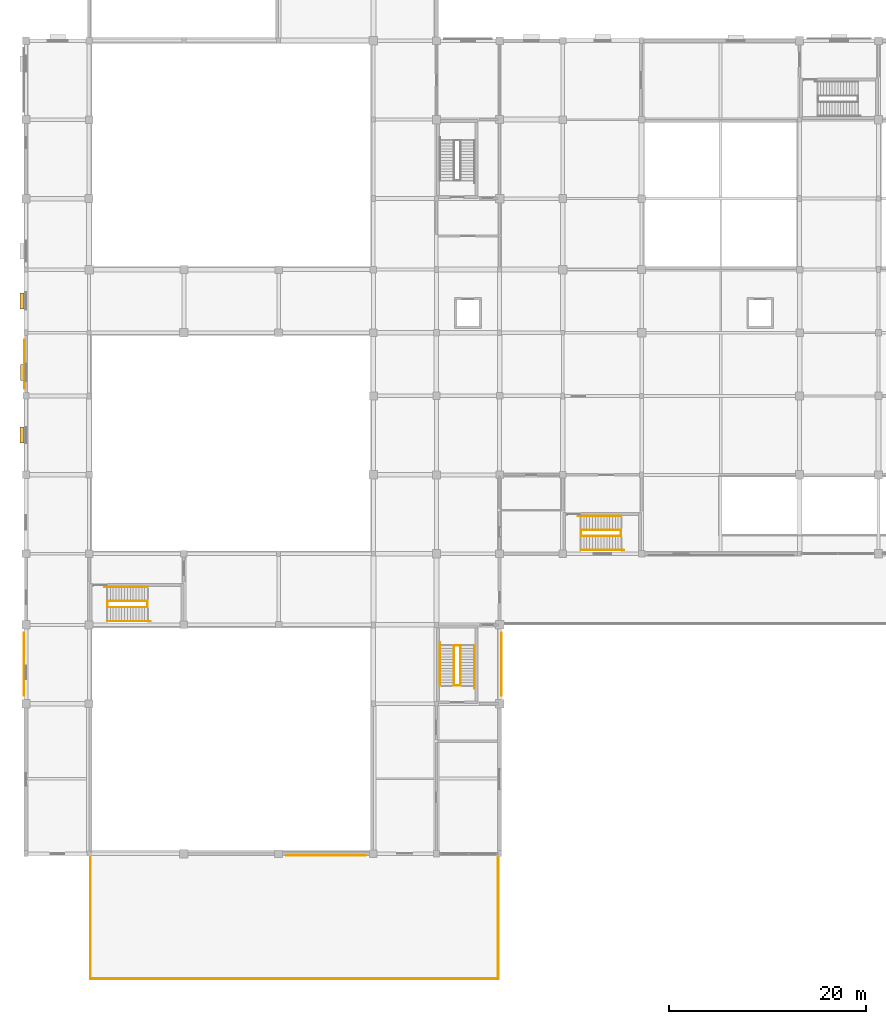
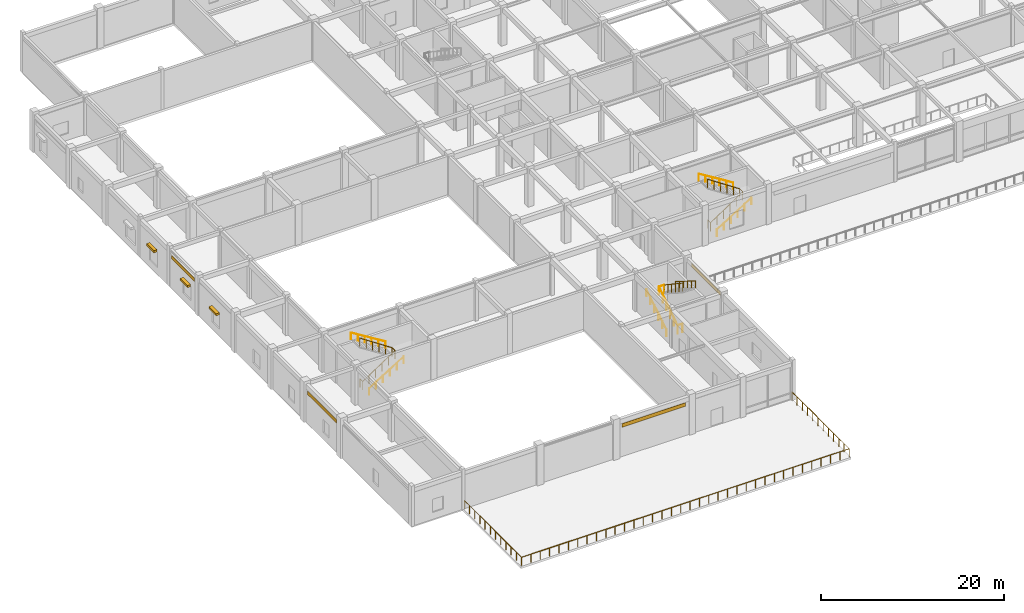
# One storey, part 33 of 36: 13 railings, 4 coverings, 3 shading devices.
"""IFC4 building model written with IfcOpenShell, lengths in metres."""

from ifc_helpers import new_model, si_unit, direction, frame, origin, origin_2d, place, context, subcontext, project, spatial, polyline, rectangle, circle, outline, extrude, material, layer, layer_set, type_object, element, save


model = new_model("IFC4")

# Units and contexts
model_context = context("Model", 3, precision=1e-05, world=origin(), true_north=direction((0.0, 1.0)))
body_context = subcontext(model_context, "Body", "Model", "MODEL_VIEW")
ifc_project = project(units=[si_unit("LENGTHUNIT", "METRE"), si_unit("AREAUNIT", "SQUARE_METRE"), si_unit("VOLUMEUNIT", "CUBIC_METRE"), si_unit("PLANEANGLEUNIT", "RADIAN"), si_unit("MASSUNIT", "GRAM", prefix="KILO")], contexts=[model_context])

# Site, building, storey
site_placement = place(None, origin())
site = spatial("IfcSite", under=ifc_project, at=site_placement, CompositionType="ELEMENT")
building_placement = place(site_placement, origin())
building = spatial("IfcBuilding", under=site, at=building_placement, Name="Vellmiral Cinema and Media Centre", CompositionType="ELEMENT")
storey_placement = place(building_placement, frame((0.0, 0.0, 5.39990234375)))
storey = spatial("IfcBuildingStorey", under=building, at=storey_placement, Name="L01", CompositionType="ELEMENT", Elevation=5.39990234375)

# Coverings
ifc_material_1 = material(Name="Polychrome Trencadis Ceramic Mosaic")
ifc_layer = layer(ifc_material_1, 0.034912109375, Name="Polychrome Trencadis Ceramic Mosaic")
ifc_layer_set = layer_set([ifc_layer], Name="Polychrome Trencadis Ceramic Mosaic")
covering_type = type_object("IfcCoveringType", Name="COV-TRENCADIS-CLAD", PredefinedType="CLADDING", material=ifc_layer_set)
covering_1_placement = place(storey_placement, frame((0.0, 0.0, 3.9150390625)))
element("IfcCovering", 1, at=covering_1_placement, inside=storey, type_object=covering_type, Name="Trencadis Spandrel Mosaic L01-004", PredefinedType="CLADDING", context=body_context, shape_type="SweptSolid", body=[
    extrude(outline(polyline([(26.39990234375, 12.592041015625), (34.425048828125, 12.592041015625), (34.425048828125, 12.626953125), (26.39990234375, 12.626953125), (26.39990234375, 12.592041015625)])), origin(), (0.0, 0.0, 1.0), 0.47998046875),
])
covering_2_placement = place(storey_placement, frame((0.0, 0.0, 3.9951171875)))
element("IfcCovering", 2, at=covering_2_placement, inside=storey, type_object=covering_type, Name="Trencadis Spandrel Mosaic L01-008", PredefinedType="CLADDING", context=body_context, shape_type="SweptSolid", body=[
    extrude(outline(polyline([(48.2080078125, 28.824951171875), (48.2080078125, 35.175048828125), (48.173095703125, 35.175048828125), (48.173095703125, 28.824951171875), (48.2080078125, 28.824951171875)])), origin(), (0.0, 0.0, 1.0), 0.47998046875),
])
covering_3_placement = place(storey_placement, frame((0.0, 0.0, 3.920166015625)))
element("IfcCovering", 3, at=covering_3_placement, inside=storey, type_object=covering_type, Name="Trencadis Spandrel Mosaic L01-072", PredefinedType="CLADDING", context=body_context, shape_type="SweptSolid", body=[
    extrude(outline(polyline([(-0.177978515625, 64.89990234375), (-0.177978515625, 59.925048828125), (-0.14306640625, 59.925048828125), (-0.14306640625, 64.89990234375), (-0.177978515625, 64.89990234375)])), origin(), (0.0, 0.0, 1.0), 0.47998046875),
])
covering_4_placement = place(storey_placement, frame((0.0, 0.0, 3.905029296875)))
element("IfcCovering", 4, at=covering_4_placement, inside=storey, type_object=covering_type, Name="Trencadis Spandrel Mosaic L01-076", PredefinedType="CLADDING", context=body_context, shape_type="SweptSolid", body=[
    extrude(outline(polyline([(-0.2080078125, 35.175048828125), (-0.2080078125, 28.824951171875), (-0.173095703125, 28.824951171875), (-0.173095703125, 35.175048828125), (-0.2080078125, 35.175048828125)])), origin(), (0.0, 0.0, 1.0), 0.47998046875),
])

# Railings
ifc_material_2 = material(Name="Forged Wrought-Iron Whiplash Balustrade", Category="steel")
railing_type_1 = type_object("IfcRailingType", Name="RL-BAL-WROUGHT-1120", PredefinedType="BALUSTRADE", material=ifc_material_2)
railing_1_placement = place(storey_placement, frame((6.550048828125, 12.64990234375, 0.0)))
element("IfcRailing", 5, at=railing_1_placement, inside=storey, type_object=railing_type_1, Name="Terrace Wrought-Iron Balustrade RL-TERR-L01-SW", PredefinedType="BALUSTRADE", context=body_context, shape_type="SweptSolid", body=[
    extrude(circle(Radius=0.02392578125, at=origin_2d()), frame((0.0, 0.0, 1.09619140625), z_axis=(0.0, -1.0, 0.0), x_axis=(1.0, 0.0, 0.0)), (0.0, 0.0, 1.0), 12.5),
    extrude(circle(Radius=0.02392578125, at=origin_2d()), frame((0.0, -12.5, 1.09619140625), z_axis=(1.0, 0.0, 0.0), x_axis=(0.0, 1.0, 0.0)), (0.0, 0.0, 1.0), 41.300048828125),
    extrude(circle(Radius=0.02392578125, at=origin_2d()), frame((41.300048828125, -12.5, 1.09619140625), z_axis=(0.0, 1.0, 0.0), x_axis=(-1.0, 0.0, 0.0)), (0.0, 0.0, 1.0), 12.5),
    extrude(circle(Radius=0.02099609375, at=origin_2d()), origin(), (0.0, 0.0, 1.0), 1.072021484375),
    extrude(circle(Radius=0.02099609375, at=origin_2d()), frame((0.0, -1.136474609375, 0.0)), (0.0, 0.0, 1.0), 1.072021484375),
    extrude(circle(Radius=0.02099609375, at=origin_2d()), frame((0.0, -2.272705078125, 0.0)), (0.0, 0.0, 1.0), 1.072021484375),
    extrude(circle(Radius=0.02099609375, at=origin_2d()), frame((0.0, -3.4091796875, 0.0)), (0.0, 0.0, 1.0), 1.072021484375),
    extrude(circle(Radius=0.02099609375, at=origin_2d()), frame((0.0, -4.54541015625, 0.0)), (0.0, 0.0, 1.0), 1.072021484375),
    extrude(circle(Radius=0.02099609375, at=origin_2d()), frame((0.0, -5.681884765625, 0.0)), (0.0, 0.0, 1.0), 1.072021484375),
    extrude(circle(Radius=0.02099609375, at=origin_2d()), frame((0.0, -6.818115234375, 0.0)), (0.0, 0.0, 1.0), 1.072021484375),
    extrude(circle(Radius=0.02099609375, at=origin_2d()), frame((0.0, -7.95458984375, 0.0)), (0.0, 0.0, 1.0), 1.072021484375),
    extrude(circle(Radius=0.02099609375, at=origin_2d()), frame((0.0, -9.0908203125, 0.0)), (0.0, 0.0, 1.0), 1.072021484375),
    extrude(circle(Radius=0.02099609375, at=origin_2d()), frame((0.0, -10.227294921875, 0.0)), (0.0, 0.0, 1.0), 1.072021484375),
    extrude(circle(Radius=0.02099609375, at=origin_2d()), frame((0.0, -11.363525390625, 0.0)), (0.0, 0.0, 1.0), 1.072021484375),
    extrude(circle(Radius=0.02099609375, at=origin_2d()), frame((0.0, -12.5, 0.0)), (0.0, 0.0, 1.0), 1.072021484375),
    extrude(circle(Radius=0.02099609375, at=origin_2d()), frame((1.179931640625, -12.5, 0.0)), (0.0, 0.0, 1.0), 1.072021484375),
    extrude(circle(Radius=0.02099609375, at=origin_2d()), frame((2.360107421875, -12.5, 0.0)), (0.0, 0.0, 1.0), 1.072021484375),
    extrude(circle(Radius=0.02099609375, at=origin_2d()), frame((3.5400390625, -12.5, 0.0)), (0.0, 0.0, 1.0), 1.072021484375),
    extrude(circle(Radius=0.02099609375, at=origin_2d()), frame((4.719970703125, -12.5, 0.0)), (0.0, 0.0, 1.0), 1.072021484375),
    extrude(circle(Radius=0.02099609375, at=origin_2d()), frame((5.89990234375, -12.5, 0.0)), (0.0, 0.0, 1.0), 1.072021484375),
    extrude(circle(Radius=0.02099609375, at=origin_2d()), frame((7.080078125, -12.5, 0.0)), (0.0, 0.0, 1.0), 1.072021484375),
    extrude(circle(Radius=0.02099609375, at=origin_2d()), frame((8.260009765625, -12.5, 0.0)), (0.0, 0.0, 1.0), 1.072021484375),
    extrude(circle(Radius=0.02099609375, at=origin_2d()), frame((9.43994140625, -12.5, 0.0)), (0.0, 0.0, 1.0), 1.072021484375),
    extrude(circle(Radius=0.02099609375, at=origin_2d()), frame((10.6201171875, -12.5, 0.0)), (0.0, 0.0, 1.0), 1.072021484375),
    extrude(circle(Radius=0.02099609375, at=origin_2d()), frame((11.800048828125, -12.5, 0.0)), (0.0, 0.0, 1.0), 1.072021484375),
    extrude(circle(Radius=0.02099609375, at=origin_2d()), frame((12.97998046875, -12.5, 0.0)), (0.0, 0.0, 1.0), 1.072021484375),
    extrude(circle(Radius=0.02099609375, at=origin_2d()), frame((14.159912109375, -12.5, 0.0)), (0.0, 0.0, 1.0), 1.072021484375),
    extrude(circle(Radius=0.02099609375, at=origin_2d()), frame((15.340087890625, -12.5, 0.0)), (0.0, 0.0, 1.0), 1.072021484375),
    extrude(circle(Radius=0.02099609375, at=origin_2d()), frame((16.52001953125, -12.5, 0.0)), (0.0, 0.0, 1.0), 1.072021484375),
    extrude(circle(Radius=0.02099609375, at=origin_2d()), frame((17.699951171875, -12.5, 0.0)), (0.0, 0.0, 1.0), 1.072021484375),
    extrude(circle(Radius=0.02099609375, at=origin_2d()), frame((18.880126953125, -12.5, 0.0)), (0.0, 0.0, 1.0), 1.072021484375),
    extrude(circle(Radius=0.02099609375, at=origin_2d()), frame((20.06005859375, -12.5, 0.0)), (0.0, 0.0, 1.0), 1.072021484375),
    extrude(circle(Radius=0.02099609375, at=origin_2d()), frame((21.239990234375, -12.5, 0.0)), (0.0, 0.0, 1.0), 1.072021484375),
    extrude(circle(Radius=0.02099609375, at=origin_2d()), frame((22.419921875, -12.5, 0.0)), (0.0, 0.0, 1.0), 1.072021484375),
    extrude(circle(Radius=0.02099609375, at=origin_2d()), frame((23.60009765625, -12.5, 0.0)), (0.0, 0.0, 1.0), 1.072021484375),
    extrude(circle(Radius=0.02099609375, at=origin_2d()), frame((24.780029296875, -12.5, 0.0)), (0.0, 0.0, 1.0), 1.072021484375),
    extrude(circle(Radius=0.02099609375, at=origin_2d()), frame((25.9599609375, -12.5, 0.0)), (0.0, 0.0, 1.0), 1.072021484375),
    extrude(circle(Radius=0.02099609375, at=origin_2d()), frame((27.14013671875, -12.5, 0.0)), (0.0, 0.0, 1.0), 1.072021484375),
    extrude(circle(Radius=0.02099609375, at=origin_2d()), frame((28.320068359375, -12.5, 0.0)), (0.0, 0.0, 1.0), 1.072021484375),
    extrude(circle(Radius=0.02099609375, at=origin_2d()), frame((29.5, -12.5, 0.0)), (0.0, 0.0, 1.0), 1.072021484375),
    extrude(circle(Radius=0.02099609375, at=origin_2d()), frame((30.679931640625, -12.5, 0.0)), (0.0, 0.0, 1.0), 1.072021484375),
    extrude(circle(Radius=0.02099609375, at=origin_2d()), frame((31.860107421875, -12.5, 0.0)), (0.0, 0.0, 1.0), 1.072021484375),
    extrude(circle(Radius=0.02099609375, at=origin_2d()), frame((33.0400390625, -12.5, 0.0)), (0.0, 0.0, 1.0), 1.072021484375),
    extrude(circle(Radius=0.02099609375, at=origin_2d()), frame((34.219970703125, -12.5, 0.0)), (0.0, 0.0, 1.0), 1.072021484375),
    extrude(circle(Radius=0.02099609375, at=origin_2d()), frame((35.400146484375, -12.5, 0.0)), (0.0, 0.0, 1.0), 1.072021484375),
    extrude(circle(Radius=0.02099609375, at=origin_2d()), frame((36.580078125, -12.5, 0.0)), (0.0, 0.0, 1.0), 1.072021484375),
    extrude(circle(Radius=0.02099609375, at=origin_2d()), frame((37.760009765625, -12.5, 0.0)), (0.0, 0.0, 1.0), 1.072021484375),
    extrude(circle(Radius=0.02099609375, at=origin_2d()), frame((38.93994140625, -12.5, 0.0)), (0.0, 0.0, 1.0), 1.072021484375),
    extrude(circle(Radius=0.02099609375, at=origin_2d()), frame((40.1201171875, -12.5, 0.0)), (0.0, 0.0, 1.0), 1.072021484375),
    extrude(circle(Radius=0.02099609375, at=origin_2d()), frame((41.300048828125, -12.5, 0.0)), (0.0, 0.0, 1.0), 1.072021484375),
    extrude(circle(Radius=0.02099609375, at=origin_2d()), frame((41.300048828125, -11.363525390625, 0.0)), (0.0, 0.0, 1.0), 1.072021484375),
    extrude(circle(Radius=0.02099609375, at=origin_2d()), frame((41.300048828125, -10.227294921875, 0.0)), (0.0, 0.0, 1.0), 1.072021484375),
    extrude(circle(Radius=0.02099609375, at=origin_2d()), frame((41.300048828125, -9.0908203125, 0.0)), (0.0, 0.0, 1.0), 1.072021484375),
    extrude(circle(Radius=0.02099609375, at=origin_2d()), frame((41.300048828125, -7.95458984375, 0.0)), (0.0, 0.0, 1.0), 1.072021484375),
    extrude(circle(Radius=0.02099609375, at=origin_2d()), frame((41.300048828125, -6.818115234375, 0.0)), (0.0, 0.0, 1.0), 1.072021484375),
    extrude(circle(Radius=0.02099609375, at=origin_2d()), frame((41.300048828125, -5.681884765625, 0.0)), (0.0, 0.0, 1.0), 1.072021484375),
    extrude(circle(Radius=0.02099609375, at=origin_2d()), frame((41.300048828125, -4.54541015625, 0.0)), (0.0, 0.0, 1.0), 1.072021484375),
    extrude(circle(Radius=0.02099609375, at=origin_2d()), frame((41.300048828125, -3.4091796875, 0.0)), (0.0, 0.0, 1.0), 1.072021484375),
    extrude(circle(Radius=0.02099609375, at=origin_2d()), frame((41.300048828125, -2.272705078125, 0.0)), (0.0, 0.0, 1.0), 1.072021484375),
    extrude(circle(Radius=0.02099609375, at=origin_2d()), frame((41.300048828125, -1.136474609375, 0.0)), (0.0, 0.0, 1.0), 1.072021484375),
    extrude(circle(Radius=0.02099609375, at=origin_2d()), frame((41.300048828125, 0.0, 0.0)), (0.0, 0.0, 1.0), 1.072021484375),
])
ifc_material_3 = material(Name="Brushed Stainless Steel Handrail", Category="steel")
railing_type_2 = type_object("IfcRailingType", Name="RL-HANDRAIL-900", PredefinedType="HANDRAIL", material=ifc_material_3)
railing_2_placement = place(storey_placement, frame((41.9599609375, 29.85009765625, 0.18017578125)))
element("IfcRailing", 6, at=railing_2_placement, inside=storey, type_object=railing_type_2, Name="Stair Wall Handrail ST-P1 L01-1", PredefinedType="HANDRAIL", context=body_context, shape_type="SweptSolid", body=[
    extrude(circle(Radius=0.02392578125, at=origin_2d()), frame((0.0, 0.0, 0.8759765625), z_axis=(0.0, 0.849636482215, 0.527368797038), x_axis=(-1.0, 0.0, 0.0)), (0.0, 0.0, 1.0), 5.11962890625),
    extrude(circle(Radius=0.02099609375, at=origin_2d()), origin(), (0.0, 0.0, 1.0), 0.851806640625),
    extrude(circle(Radius=0.02099609375, at=origin_2d()), frame((0.0, 0.869873046875, 0.5400390625)), (0.0, 0.0, 1.0), 0.851806640625),
    extrude(circle(Radius=0.02099609375, at=origin_2d()), frame((0.0, 1.739990234375, 1.080078125)), (0.0, 0.0, 1.0), 0.851806640625),
    extrude(circle(Radius=0.02099609375, at=origin_2d()), frame((0.0, 2.60986328125, 1.619873046875)), (0.0, 0.0, 1.0), 0.851806640625),
    extrude(circle(Radius=0.02099609375, at=origin_2d()), frame((0.0, 3.47998046875, 2.159912109375)), (0.0, 0.0, 1.0), 0.851806640625),
    extrude(circle(Radius=0.02099609375, at=origin_2d()), frame((0.0, 4.349853515625, 2.699951171875)), (0.0, 0.0, 1.0), 0.851806640625),
])
railing_3_placement = place(storey_placement, frame((45.43994140625, 33.909912109375, 2.880126953125)))
element("IfcRailing", 7, at=railing_3_placement, inside=storey, type_object=railing_type_2, Name="Stair Wall Handrail ST-P1 L01-2", PredefinedType="HANDRAIL", context=body_context, shape_type="SweptSolid", body=[
    extrude(circle(Radius=0.02392578125, at=origin_2d()), frame((0.0, 0.0, 0.8759765625), z_axis=(0.0, -0.849636482215, 0.527368797038), x_axis=(1.0, 0.0, 0.0)), (0.0, 0.0, 1.0), 5.11962890625),
    extrude(circle(Radius=0.02099609375, at=origin_2d()), origin(), (0.0, 0.0, 1.0), 0.851806640625),
    extrude(circle(Radius=0.02099609375, at=origin_2d()), frame((0.0, -0.869873046875, 0.5400390625)), (0.0, 0.0, 1.0), 0.851806640625),
    extrude(circle(Radius=0.02099609375, at=origin_2d()), frame((0.0, -1.739990234375, 1.080078125)), (0.0, 0.0, 1.0), 0.851806640625),
    extrude(circle(Radius=0.02099609375, at=origin_2d()), frame((0.0, -2.60986328125, 1.619873046875)), (0.0, 0.0, 1.0), 0.851806640625),
    extrude(circle(Radius=0.02099609375, at=origin_2d()), frame((0.0, -3.47998046875, 2.159912109375)), (0.0, 0.0, 1.0), 0.851806640625),
    extrude(circle(Radius=0.02099609375, at=origin_2d()), frame((0.0, -4.349853515625, 2.699951171875)), (0.0, 0.0, 1.0), 0.851806640625),
])
railing_4_placement = place(storey_placement, frame((56.25, 43.56005859375, 0.18017578125)))
element("IfcRailing", 8, at=railing_4_placement, inside=storey, type_object=railing_type_2, Name="Stair Wall Handrail ST-P3 L01-1", PredefinedType="HANDRAIL", context=body_context, shape_type="SweptSolid", body=[
    extrude(circle(Radius=0.02392578125, at=origin_2d()), frame((0.0, 0.0, 0.8759765625), z_axis=(0.849649743971, 0.0, 0.527347430608), x_axis=(0.0, 1.0, 0.0)), (0.0, 0.0, 1.0), 5.119873046875),
    extrude(circle(Radius=0.02099609375, at=origin_2d()), origin(), (0.0, 0.0, 1.0), 0.851806640625),
    extrude(circle(Radius=0.02099609375, at=origin_2d()), frame((0.8701171875, 0.0, 0.5400390625)), (0.0, 0.0, 1.0), 0.851806640625),
    extrude(circle(Radius=0.02099609375, at=origin_2d()), frame((1.739990234375, 0.0, 1.080078125)), (0.0, 0.0, 1.0), 0.851806640625),
    extrude(circle(Radius=0.02099609375, at=origin_2d()), frame((2.610107421875, 0.0, 1.619873046875)), (0.0, 0.0, 1.0), 0.851806640625),
    extrude(circle(Radius=0.02099609375, at=origin_2d()), frame((3.47998046875, 0.0, 2.159912109375)), (0.0, 0.0, 1.0), 0.851806640625),
    extrude(circle(Radius=0.02099609375, at=origin_2d()), frame((4.35009765625, 0.0, 2.699951171875)), (0.0, 0.0, 1.0), 0.851806640625),
])
railing_5_placement = place(storey_placement, frame((60.31005859375, 47.0400390625, 2.880126953125)))
element("IfcRailing", 9, at=railing_5_placement, inside=storey, type_object=railing_type_2, Name="Stair Wall Handrail ST-P3 L01-2", PredefinedType="HANDRAIL", context=body_context, shape_type="SweptSolid", body=[
    extrude(circle(Radius=0.02392578125, at=origin_2d()), frame((0.0, 0.0, 0.8759765625), z_axis=(-0.849649743971, 0.0, 0.527347430608), x_axis=(0.0, -1.0, 0.0)), (0.0, 0.0, 1.0), 5.119873046875),
    extrude(circle(Radius=0.02099609375, at=origin_2d()), origin(), (0.0, 0.0, 1.0), 0.851806640625),
    extrude(circle(Radius=0.02099609375, at=origin_2d()), frame((-0.8701171875, 0.0, 0.5400390625)), (0.0, 0.0, 1.0), 0.851806640625),
    extrude(circle(Radius=0.02099609375, at=origin_2d()), frame((-1.739990234375, 0.0, 1.080078125)), (0.0, 0.0, 1.0), 0.851806640625),
    extrude(circle(Radius=0.02099609375, at=origin_2d()), frame((-2.610107421875, 0.0, 1.619873046875)), (0.0, 0.0, 1.0), 0.851806640625),
    extrude(circle(Radius=0.02099609375, at=origin_2d()), frame((-3.47998046875, 0.0, 2.159912109375)), (0.0, 0.0, 1.0), 0.851806640625),
    extrude(circle(Radius=0.02099609375, at=origin_2d()), frame((-4.35009765625, 0.0, 2.699951171875)), (0.0, 0.0, 1.0), 0.851806640625),
])
railing_6_placement = place(storey_placement, frame((8.25, 36.360107421875, 0.18017578125)))
element("IfcRailing", 10, at=railing_6_placement, inside=storey, type_object=railing_type_2, Name="Stair Wall Handrail ST-P7 L01-1", PredefinedType="HANDRAIL", context=body_context, shape_type="SweptSolid", body=[
    extrude(circle(Radius=0.02392578125, at=origin_2d()), frame((0.0, 0.0, 0.8759765625), z_axis=(0.849649743971, 0.0, 0.527347430608), x_axis=(0.0, 1.0, 0.0)), (0.0, 0.0, 1.0), 5.119873046875),
    extrude(circle(Radius=0.02099609375, at=origin_2d()), origin(), (0.0, 0.0, 1.0), 0.851806640625),
    extrude(circle(Radius=0.02099609375, at=origin_2d()), frame((0.8701171875, 0.0, 0.5400390625)), (0.0, 0.0, 1.0), 0.851806640625),
    extrude(circle(Radius=0.02099609375, at=origin_2d()), frame((1.739990234375, 0.0, 1.080078125)), (0.0, 0.0, 1.0), 0.851806640625),
    extrude(circle(Radius=0.02099609375, at=origin_2d()), frame((2.610107421875, 0.0, 1.619873046875)), (0.0, 0.0, 1.0), 0.851806640625),
    extrude(circle(Radius=0.02099609375, at=origin_2d()), frame((3.47998046875, 0.0, 2.159912109375)), (0.0, 0.0, 1.0), 0.851806640625),
    extrude(circle(Radius=0.02099609375, at=origin_2d()), frame((4.35009765625, 0.0, 2.699951171875)), (0.0, 0.0, 1.0), 0.851806640625),
])
railing_7_placement = place(storey_placement, frame((12.31005859375, 39.840087890625, 2.880126953125)))
element("IfcRailing", 11, at=railing_7_placement, inside=storey, type_object=railing_type_2, Name="Stair Wall Handrail ST-P7 L01-2", PredefinedType="HANDRAIL", context=body_context, shape_type="SweptSolid", body=[
    extrude(circle(Radius=0.02392578125, at=origin_2d()), frame((0.0, 0.0, 0.8759765625), z_axis=(-0.849649743971, 0.0, 0.527347430608), x_axis=(0.0, -1.0, 0.0)), (0.0, 0.0, 1.0), 5.119873046875),
    extrude(circle(Radius=0.02099609375, at=origin_2d()), origin(), (0.0, 0.0, 1.0), 0.851806640625),
    extrude(circle(Radius=0.02099609375, at=origin_2d()), frame((-0.8701171875, 0.0, 0.5400390625)), (0.0, 0.0, 1.0), 0.851806640625),
    extrude(circle(Radius=0.02099609375, at=origin_2d()), frame((-1.739990234375, 0.0, 1.080078125)), (0.0, 0.0, 1.0), 0.851806640625),
    extrude(circle(Radius=0.02099609375, at=origin_2d()), frame((-2.610107421875, 0.0, 1.619873046875)), (0.0, 0.0, 1.0), 0.851806640625),
    extrude(circle(Radius=0.02099609375, at=origin_2d()), frame((-3.47998046875, 0.0, 2.159912109375)), (0.0, 0.0, 1.0), 0.851806640625),
    extrude(circle(Radius=0.02099609375, at=origin_2d()), frame((-4.35009765625, 0.0, 2.699951171875)), (0.0, 0.0, 1.0), 0.851806640625),
])
ifc_material_4 = material(Name="Painted Steel Stair Guardrail", Category="steel")
railing_type_3 = type_object("IfcRailingType", Name="RL-STAIR-GUARD-1120", PredefinedType="GUARDRAIL", material=ifc_material_4)
railing_8_placement = place(storey_placement, frame((43.97998046875, 29.85009765625, 0.0)))
element("IfcRailing", 12, at=railing_8_placement, inside=storey, type_object=railing_type_3, Name="Stair Well Guard ST-P1 L01-A", PredefinedType="GUARDRAIL", context=body_context, shape_type="SweptSolid", body=[
    extrude(circle(Radius=0.02392578125, at=origin_2d()), frame((0.0, 0.0, 1.09619140625), z_axis=(-1.0, 0.0, 0.0), x_axis=(0.0, -1.0, 0.0)), (0.0, 0.0, 1.0), 0.60009765625),
    extrude(circle(Radius=0.02392578125, at=origin_2d()), frame((-0.60009765625, 0.0, 1.09619140625), z_axis=(0.0, 0.832650672624, 0.553798571124), x_axis=(-1.0, 0.0, 0.0)), (0.0, 0.0, 1.0), 4.875732421875),
    extrude(circle(Radius=0.02392578125, at=origin_2d()), frame((-0.60009765625, 4.059814453125, 3.79638671875), z_axis=(1.0, 0.0, 0.0), x_axis=(0.0, 1.0, 0.0)), (0.0, 0.0, 1.0), 0.64013671875),
    extrude(circle(Radius=0.02099609375, at=origin_2d()), origin(), (0.0, 0.0, 1.0), 1.072021484375),
    extrude(circle(Radius=0.02099609375, at=origin_2d()), frame((-0.60009765625, 0.0, 0.0)), (0.0, 0.0, 1.0), 1.072021484375),
    extrude(circle(Radius=0.02099609375, at=origin_2d()), frame((-0.60009765625, 0.81201171875, 0.5400390625)), (0.0, 0.0, 1.0), 1.072021484375),
    extrude(circle(Radius=0.02099609375, at=origin_2d()), frame((-0.60009765625, 1.6240234375, 1.080078125)), (0.0, 0.0, 1.0), 1.072021484375),
    extrude(circle(Radius=0.02099609375, at=origin_2d()), frame((-0.60009765625, 2.435791015625, 1.6201171875)), (0.0, 0.0, 1.0), 1.072021484375),
    extrude(circle(Radius=0.02099609375, at=origin_2d()), frame((-0.60009765625, 3.247802734375, 2.16015625)), (0.0, 0.0, 1.0), 1.072021484375),
    extrude(circle(Radius=0.02099609375, at=origin_2d()), frame((-0.60009765625, 4.059814453125, 2.7001953125)), (0.0, 0.0, 1.0), 1.072021484375),
    extrude(circle(Radius=0.02099609375, at=origin_2d()), frame((0.0400390625, 4.059814453125, 2.7001953125)), (0.0, 0.0, 1.0), 1.072021484375),
])
railing_9_placement = place(storey_placement, frame((44.02001953125, 33.909912109375, 2.7001953125)))
element("IfcRailing", 13, at=railing_9_placement, inside=storey, type_object=railing_type_3, Name="Stair Well Guard ST-P1 L01-B", PredefinedType="GUARDRAIL", context=body_context, shape_type="SweptSolid", body=[
    extrude(circle(Radius=0.02392578125, at=origin_2d()), frame((0.0, 0.0, 1.09619140625), z_axis=(0.0, -0.832673761873, 0.553763854264), x_axis=(1.0, 0.0, 0.0)), (0.0, 0.0, 1.0), 4.875732421875),
    extrude(circle(Radius=0.02099609375, at=origin_2d()), origin(), (0.0, 0.0, 1.0), 1.072021484375),
    extrude(circle(Radius=0.02099609375, at=origin_2d()), frame((0.0, -0.81201171875, 0.5400390625)), (0.0, 0.0, 1.0), 1.072021484375),
    extrude(circle(Radius=0.02099609375, at=origin_2d()), frame((0.0, -1.6240234375, 1.080078125)), (0.0, 0.0, 1.0), 1.072021484375),
    extrude(circle(Radius=0.02099609375, at=origin_2d()), frame((0.0, -2.435791015625, 1.619873046875)), (0.0, 0.0, 1.0), 1.072021484375),
    extrude(circle(Radius=0.02099609375, at=origin_2d()), frame((0.0, -3.247802734375, 2.159912109375)), (0.0, 0.0, 1.0), 1.072021484375),
    extrude(circle(Radius=0.02099609375, at=origin_2d()), frame((0.0, -4.059814453125, 2.699951171875)), (0.0, 0.0, 1.0), 1.072021484375),
])
railing_10_placement = place(storey_placement, frame((56.25, 45.580078125, 0.0)))
element("IfcRailing", 14, at=railing_10_placement, inside=storey, type_object=railing_type_3, Name="Stair Well Guard ST-P3 L01-A", PredefinedType="GUARDRAIL", context=body_context, shape_type="SweptSolid", body=[
    extrude(circle(Radius=0.02392578125, at=origin_2d()), frame((0.0, 0.0, 1.09619140625), z_axis=(0.0, -1.0, 0.0), x_axis=(1.0, 0.0, 0.0)), (0.0, 0.0, 1.0), 0.60009765625),
    extrude(circle(Radius=0.02392578125, at=origin_2d()), frame((0.0, -0.60009765625, 1.09619140625), z_axis=(0.832666028451, 0.0, 0.553775482542), x_axis=(0.0, 1.0, 0.0)), (0.0, 0.0, 1.0), 4.8759765625),
    extrude(circle(Radius=0.02392578125, at=origin_2d()), frame((4.06005859375, -0.60009765625, 3.79638671875), z_axis=(0.0, 1.0, 0.0), x_axis=(-1.0, 0.0, 0.0)), (0.0, 0.0, 1.0), 0.64013671875),
    extrude(circle(Radius=0.02099609375, at=origin_2d()), origin(), (0.0, 0.0, 1.0), 1.072021484375),
    extrude(circle(Radius=0.02099609375, at=origin_2d()), frame((0.0, -0.60009765625, 0.0)), (0.0, 0.0, 1.0), 1.072021484375),
    extrude(circle(Radius=0.02099609375, at=origin_2d()), frame((0.81201171875, -0.60009765625, 0.5400390625)), (0.0, 0.0, 1.0), 1.072021484375),
    extrude(circle(Radius=0.02099609375, at=origin_2d()), frame((1.6240234375, -0.60009765625, 1.080078125)), (0.0, 0.0, 1.0), 1.072021484375),
    extrude(circle(Radius=0.02099609375, at=origin_2d()), frame((2.43603515625, -0.60009765625, 1.6201171875)), (0.0, 0.0, 1.0), 1.072021484375),
    extrude(circle(Radius=0.02099609375, at=origin_2d()), frame((3.248046875, -0.60009765625, 2.16015625)), (0.0, 0.0, 1.0), 1.072021484375),
    extrude(circle(Radius=0.02099609375, at=origin_2d()), frame((4.06005859375, -0.60009765625, 2.7001953125)), (0.0, 0.0, 1.0), 1.072021484375),
    extrude(circle(Radius=0.02099609375, at=origin_2d()), frame((4.06005859375, 0.0400390625, 2.7001953125)), (0.0, 0.0, 1.0), 1.072021484375),
])
railing_11_placement = place(storey_placement, frame((60.31005859375, 45.6201171875, 2.7001953125)))
element("IfcRailing", 15, at=railing_11_placement, inside=storey, type_object=railing_type_3, Name="Stair Well Guard ST-P3 L01-B", PredefinedType="GUARDRAIL", context=body_context, shape_type="SweptSolid", body=[
    extrude(circle(Radius=0.02392578125, at=origin_2d()), frame((0.0, 0.0, 1.09619140625), z_axis=(-0.8326891162, 0.0, 0.553740765848), x_axis=(0.0, -1.0, 0.0)), (0.0, 0.0, 1.0), 4.875732421875),
    extrude(circle(Radius=0.02099609375, at=origin_2d()), origin(), (0.0, 0.0, 1.0), 1.072021484375),
    extrude(circle(Radius=0.02099609375, at=origin_2d()), frame((-0.81201171875, 0.0, 0.5400390625)), (0.0, 0.0, 1.0), 1.072021484375),
    extrude(circle(Radius=0.02099609375, at=origin_2d()), frame((-1.6240234375, 0.0, 1.080078125)), (0.0, 0.0, 1.0), 1.072021484375),
    extrude(circle(Radius=0.02099609375, at=origin_2d()), frame((-2.43603515625, 0.0, 1.619873046875)), (0.0, 0.0, 1.0), 1.072021484375),
    extrude(circle(Radius=0.02099609375, at=origin_2d()), frame((-3.248046875, 0.0, 2.159912109375)), (0.0, 0.0, 1.0), 1.072021484375),
    extrude(circle(Radius=0.02099609375, at=origin_2d()), frame((-4.06005859375, 0.0, 2.699951171875)), (0.0, 0.0, 1.0), 1.072021484375),
])
railing_12_placement = place(storey_placement, frame((8.25, 38.3798828125, 0.0)))
element("IfcRailing", 16, at=railing_12_placement, inside=storey, type_object=railing_type_3, Name="Stair Well Guard ST-P7 L01-A", PredefinedType="GUARDRAIL", context=body_context, shape_type="SweptSolid", body=[
    extrude(circle(Radius=0.02392578125, at=origin_2d()), frame((0.0, 0.0, 1.09619140625), z_axis=(0.0, -1.0, 0.0), x_axis=(1.0, 0.0, 0.0)), (0.0, 0.0, 1.0), 0.599853515625),
    extrude(circle(Radius=0.02392578125, at=origin_2d()), frame((0.0, -0.599853515625, 1.09619140625), z_axis=(0.832666028451, 0.0, 0.553775482542), x_axis=(0.0, 1.0, 0.0)), (0.0, 0.0, 1.0), 4.8759765625),
    extrude(circle(Radius=0.02392578125, at=origin_2d()), frame((4.06005859375, -0.599853515625, 3.79638671875), z_axis=(0.0, 1.0, 0.0), x_axis=(-1.0, 0.0, 0.0)), (0.0, 0.0, 1.0), 0.639892578125),
    extrude(circle(Radius=0.02099609375, at=origin_2d()), origin(), (0.0, 0.0, 1.0), 1.072021484375),
    extrude(circle(Radius=0.02099609375, at=origin_2d()), frame((0.0, -0.599853515625, 0.0)), (0.0, 0.0, 1.0), 1.072021484375),
    extrude(circle(Radius=0.02099609375, at=origin_2d()), frame((0.81201171875, -0.599853515625, 0.5400390625)), (0.0, 0.0, 1.0), 1.072021484375),
    extrude(circle(Radius=0.02099609375, at=origin_2d()), frame((1.6240234375, -0.599853515625, 1.080078125)), (0.0, 0.0, 1.0), 1.072021484375),
    extrude(circle(Radius=0.02099609375, at=origin_2d()), frame((2.43603515625, -0.599853515625, 1.6201171875)), (0.0, 0.0, 1.0), 1.072021484375),
    extrude(circle(Radius=0.02099609375, at=origin_2d()), frame((3.248046875, -0.599853515625, 2.16015625)), (0.0, 0.0, 1.0), 1.072021484375),
    extrude(circle(Radius=0.02099609375, at=origin_2d()), frame((4.06005859375, -0.599853515625, 2.7001953125)), (0.0, 0.0, 1.0), 1.072021484375),
    extrude(circle(Radius=0.02099609375, at=origin_2d()), frame((4.06005859375, 0.0400390625, 2.7001953125)), (0.0, 0.0, 1.0), 1.072021484375),
])
railing_13_placement = place(storey_placement, frame((12.31005859375, 38.419921875, 2.7001953125)))
element("IfcRailing", 17, at=railing_13_placement, inside=storey, type_object=railing_type_3, Name="Stair Well Guard ST-P7 L01-B", PredefinedType="GUARDRAIL", context=body_context, shape_type="SweptSolid", body=[
    extrude(circle(Radius=0.02392578125, at=origin_2d()), frame((0.0, 0.0, 1.09619140625), z_axis=(-0.8326891162, 0.0, 0.553740765848), x_axis=(0.0, -1.0, 0.0)), (0.0, 0.0, 1.0), 4.875732421875),
    extrude(circle(Radius=0.02099609375, at=origin_2d()), origin(), (0.0, 0.0, 1.0), 1.072021484375),
    extrude(circle(Radius=0.02099609375, at=origin_2d()), frame((-0.81201171875, 0.0, 0.5400390625)), (0.0, 0.0, 1.0), 1.072021484375),
    extrude(circle(Radius=0.02099609375, at=origin_2d()), frame((-1.6240234375, 0.0, 1.080078125)), (0.0, 0.0, 1.0), 1.072021484375),
    extrude(circle(Radius=0.02099609375, at=origin_2d()), frame((-2.43603515625, 0.0, 1.619873046875)), (0.0, 0.0, 1.0), 1.072021484375),
    extrude(circle(Radius=0.02099609375, at=origin_2d()), frame((-3.248046875, 0.0, 2.159912109375)), (0.0, 0.0, 1.0), 1.072021484375),
    extrude(circle(Radius=0.02099609375, at=origin_2d()), frame((-4.06005859375, 0.0, 2.699951171875)), (0.0, 0.0, 1.0), 1.072021484375),
])

# Shading devices
ifc_material_5 = material(Name="Glazed Polychrome Ceramic Louvre Blade", Category="ceramic")
shading_device_type = type_object("IfcShadingDeviceType", Name="SHD-CERAMIC-JALOUSIE", PredefinedType="JALOUSIE", material=ifc_material_5)
for number, where, z_axis, x_axis, name in (
    (18, (-0.39990234375, 68.824951171875, 3.0), (0.0, 0.0, 1.0), (0.0, -1.0, 0.0), "Ceramic Sun-Shading Louvre L01-22"),
    (19, (-0.3701171875, 61.5625, 2.75), (0.0, 0.0, 1.0), (0.0, -1.0, 0.0), "Ceramic Sun-Shading Louvre L01-23"),
    (20, (-0.39990234375, 55.22509765625, 2.85009765625), (0.0, 0.0, 1.0), (0.0, -1.0, 0.0), "Ceramic Sun-Shading Louvre L01-24"),
):
    element("IfcShadingDevice", number, at=place(storey_placement, frame(where, z_axis=z_axis, x_axis=x_axis)), inside=storey, type_object=shading_device_type, Name=name, PredefinedType="JALOUSIE", context=body_context, shape_type="SweptSolid", body=[
        extrude(rectangle(XDim=1.60009765625, YDim=0.419921875, at=origin_2d()), origin(), (0.0, 0.0, 1.0), 0.280029296875),
    ])

save(model, "model.ifc")
